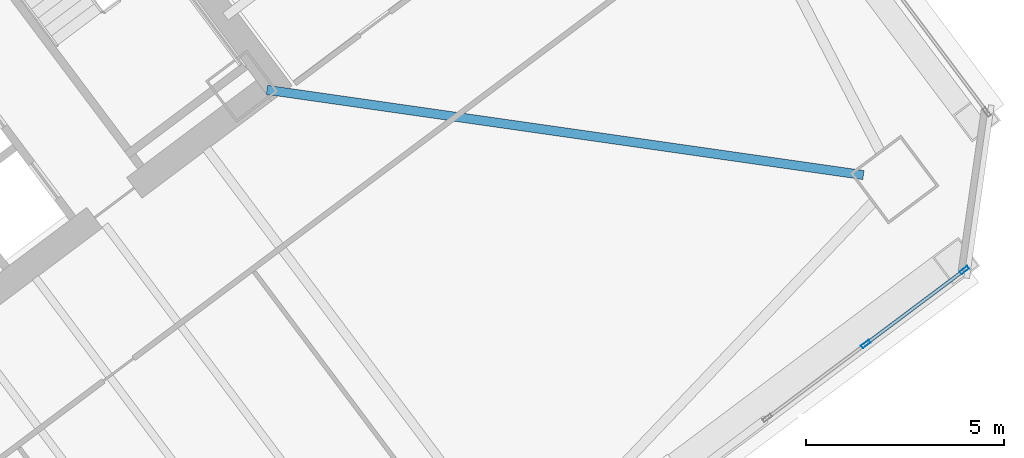
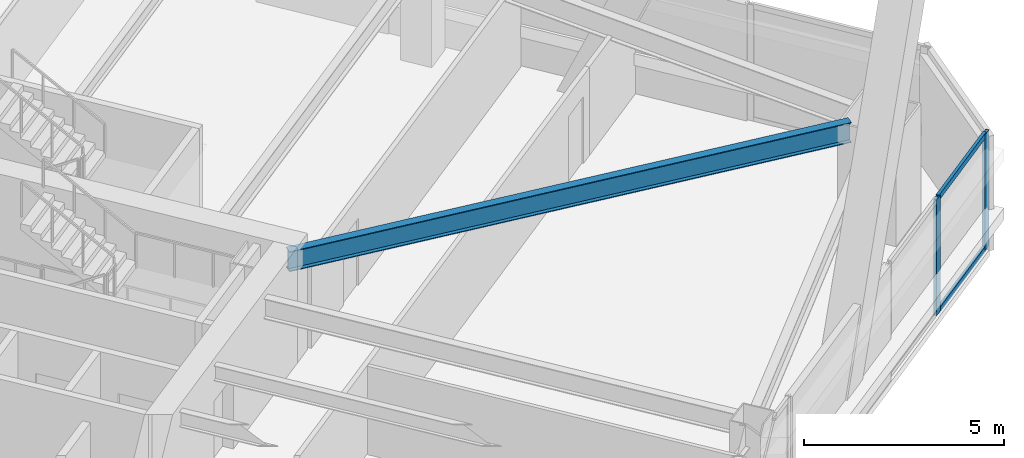
# One storey, part 47 of 75: 4 members, 1 beam, 1 element without a shape of its own.
"""IFC4 building model written with IfcOpenShell, lengths in metres."""

from ifc_helpers import new_model, si_unit, direction, frame, origin, origin_2d, place, context, subcontext, project, spatial, hollow_rectangle, i_section, extrude, material, material_profile, profile_set, type_object, element, aggregate, save


model = new_model("IFC4")

# Units and contexts
model_context = context("Model", 3, precision=1e-05, world=origin(), true_north=direction((0.0, 1.0)))
body_context = subcontext(model_context, "Body", "Model", "MODEL_VIEW")
ifc_project = project(units=[si_unit("LENGTHUNIT", "METRE"), si_unit("AREAUNIT", "SQUARE_METRE"), si_unit("VOLUMEUNIT", "CUBIC_METRE"), si_unit("PLANEANGLEUNIT", "RADIAN"), si_unit("MASSUNIT", "GRAM", prefix="KILO")], contexts=[model_context])

# Site, building, storey
site_placement = place(None, origin())
site = spatial("IfcSite", under=ifc_project, at=site_placement, CompositionType="ELEMENT")
building_placement = place(site_placement, origin())
building = spatial("IfcBuilding", under=site, at=building_placement, Name="Tashvorn Skyway Center", CompositionType="ELEMENT")
storey_placement = place(building_placement, frame((0.0, 0.0, 45.89990234375)))
storey = spatial("IfcBuildingStorey", under=building, at=storey_placement, Name="L11", CompositionType="ELEMENT", Elevation=45.89990234375)

# Beam
ifc_material_1 = material(Name="Steel ASTM A992 Grade 50", Category="steel")
ifc_material_profile_1 = material_profile(ifc_material_1, i_section(OverallWidth=0.22998046875, OverallDepth=0.616943359375, WebThickness=0.01318359375, FlangeThickness=0.022216796875, at=origin_2d()), Name="W24X94")
ifc_profile_set_1 = profile_set([ifc_material_profile_1], Name="Steel ASTM A992 Grade 50")
beam_type = type_object("IfcBeamType", Name="BM-BEAM-W24X94", PredefinedType="BEAM", material=ifc_profile_set_1)
beam_placement = place(storey_placement, frame((139.532958984375, 28.3525390625, 3.04150390625), z_axis=(-0.989950458816, 0.141414599991, 0.0), x_axis=(-0.141414599991, -0.989950458816, 0.0)))
element("IfcBeam", 1, at=beam_placement, inside=storey, type_object=beam_type, Name="Tower 2 L11 Primary Floor Girder MC-SE", PredefinedType="BEAM", context=body_context, shape_type="SweptSolid", body=[
    extrude(i_section(OverallWidth=0.22998046875, OverallDepth=0.616943359375, WebThickness=0.01318359375, FlangeThickness=0.022216796875, at=origin_2d()), origin(), (0.0, 0.0, 1.0), 15.177001953125),
])

# Curtain wall, members
ifc_material_2 = material(Name="Thermally broken bronze-anodized aluminium 6063-T6", Category="aluminium")
curtain_wall_type = type_object("IfcCurtainWallType", Name="CW-CW-Z1", PredefinedType="NOTDEFINED", material=ifc_material_2)
curtain_wall_placement = place(storey_placement, origin())
curtain_wall = element("IfcCurtainWall", 2, at=curtain_wall_placement, inside=storey, type_object=curtain_wall_type, Name="Tower 2 L11 South Unitised Curtain Wall Glazing Group 1", PredefinedType="NOTDEFINED")
ifc_material_profile_2 = material_profile(ifc_material_2, hollow_rectangle(XDim=0.0849609375, YDim=0.239990234375, WallThickness=0.0048828125, at=origin_2d()), Name="ALU-MULL-85x240")
ifc_profile_set_2 = profile_set([ifc_material_profile_2], Name="Thermally broken bronze-anodized aluminium 6063-T6")
member_type_1 = type_object("IfcMemberType", Name="CWM-CW-Z1", PredefinedType="MULLION", material=ifc_profile_set_2)
member_1_placement = place(storey_placement, frame((142.077880859375, 25.95849609375, 0.0), z_axis=(0.0, 0.0, 1.0), x_axis=(0.599997457641, -0.800001906763, 0.0)))
member_1 = element("IfcMember", 3, at=member_1_placement, type_object=member_type_1, Name="CW-Z1 mullion 1", PredefinedType="MULLION", context=body_context, shape_type="SweptSolid", body=[
    extrude(hollow_rectangle(XDim=0.0849609375, YDim=0.239990234375, WallThickness=0.0048828125, at=origin_2d()), origin(), (0.0, 0.0, 1.0), 3.550048828125),
])
member_2_placement = place(storey_placement, frame((139.5947265625, 24.095947265625, 0.0), z_axis=(0.0, 0.0, 1.0), x_axis=(0.599997457641, -0.800001906763, 0.0)))
member_2 = element("IfcMember", 4, at=member_2_placement, type_object=member_type_1, Name="CW-Z1 mullion 2", PredefinedType="MULLION", context=body_context, shape_type="SweptSolid", body=[
    extrude(hollow_rectangle(XDim=0.0849609375, YDim=0.239990234375, WallThickness=0.0048828125, at=origin_2d()), origin(), (0.0, 0.0, 1.0), 3.550048828125),
])
ifc_material_profile_3 = material_profile(ifc_material_2, hollow_rectangle(XDim=0.0849609375, YDim=0.1650390625, WallThickness=0.0048828125, at=origin_2d()), Name="ALU-TRAN-85x165")
ifc_profile_set_3 = profile_set([ifc_material_profile_3], Name="Thermally broken bronze-anodized aluminium 6063-T6")
member_type_2 = type_object("IfcMemberType", Name="CWT-CW-Z1", PredefinedType="USERDEFINED", material=ifc_profile_set_3)
member_3_placement = place(storey_placement, frame((142.0439453125, 25.93310546875, 0.04248046875), z_axis=(-0.799990296182, -0.600012938206, 0.0), x_axis=(0.600012938206, -0.799990296182, 0.0)))
member_3 = element("IfcMember", 5, at=member_3_placement, type_object=member_type_2, Name="CW-Z1 transom 1.1", ObjectType="TRANSOM", PredefinedType="USERDEFINED", context=body_context, shape_type="SweptSolid", body=[
    extrude(hollow_rectangle(XDim=0.0849609375, YDim=0.1650390625, WallThickness=0.0048828125, at=origin_2d()), origin(), (0.0, 0.0, 1.0), 3.01904296875),
])
member_4_placement = place(storey_placement, frame((142.0439453125, 25.93310546875, 3.507568359375), z_axis=(-0.799990296182, -0.600012938206, 0.0), x_axis=(0.600012938206, -0.799990296182, 0.0)))
member_4 = element("IfcMember", 6, at=member_4_placement, type_object=member_type_2, Name="CW-Z1 transom 1.2", ObjectType="TRANSOM", PredefinedType="USERDEFINED", context=body_context, shape_type="SweptSolid", body=[
    extrude(hollow_rectangle(XDim=0.0849609375, YDim=0.1650390625, WallThickness=0.0048828125, at=origin_2d()), origin(), (0.0, 0.0, 1.0), 3.01904296875),
])
aggregate(curtain_wall, [member_1, member_2, member_3, member_4])

save(model, "model.ifc")
